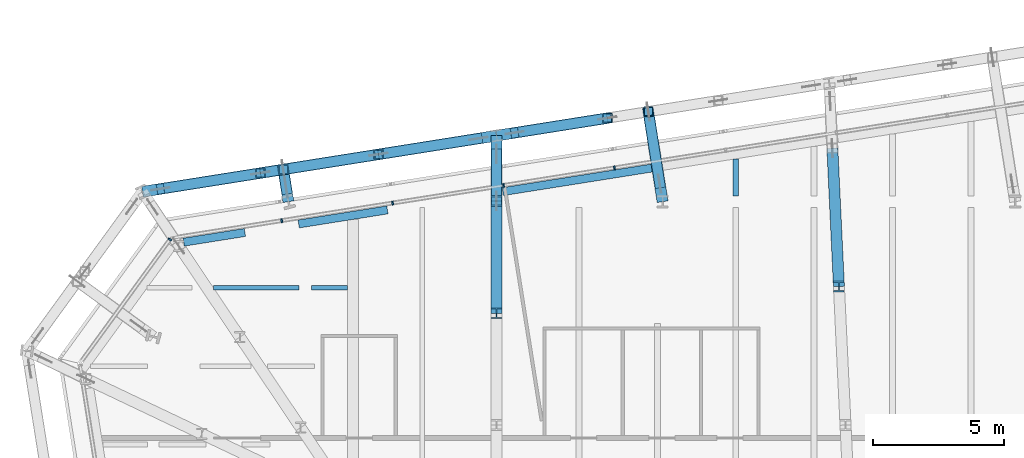
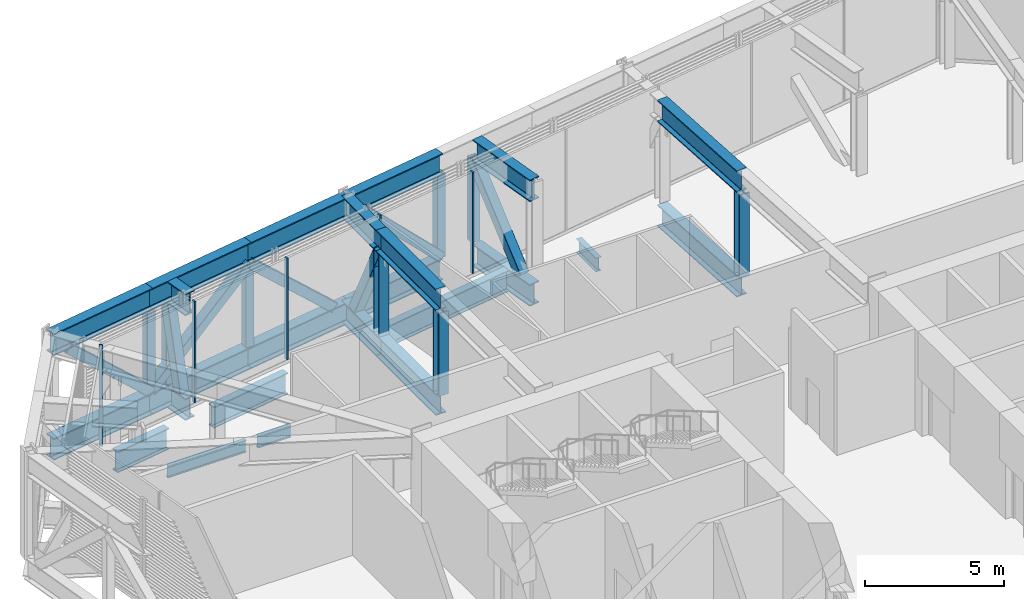
# One storey, part 12 of 32: 24 beams, 20 members, 2 elements without a shape of their own.
"""IFC4 building model written with IfcOpenShell, lengths in metres."""

import ifcopenshell
import ifcopenshell.guid

model = None  # the IFC model being written
_history = None  # IfcOwnerHistory: only IFC2X3 demands one
_inside = {}  # id of a spatial element -> (the spatial element, [elements in it])
_under = {}  # id of a project, library or spatial element -> (it, [spatial elements below it])
_declared = {}  # id of a project -> (the project, [libraries it declares])
_typed = {}  # id of a type object -> (the type object, [elements of that type])
_made_of = {}  # id of a material, layer set ... -> (it, [elements and type objects made of it])


def new_model(schema):
    """Start an empty IFC model of exactly this schema.

    Asked for "IFC4X3", IfcOpenShell would pick the latest addendum, in which some entities
    have other attributes; the version numbers below select the first issue.
    IFC2X3 requires an IfcOwnerHistory on every rooted entity: one is made here for all.
    """
    global model, _history
    if schema == "IFC4X3":
        model = ifcopenshell.file(schema_version=(4, 3, 0, 0))
    else:
        model = ifcopenshell.file(schema=schema)
    _inside.clear()
    _under.clear()
    _declared.clear()
    _typed.clear()
    _made_of.clear()
    _history = None
    if model.schema == "IFC2X3":
        org = make("IfcOrganization", Name="unknown")
        user = make(
            "IfcPersonAndOrganization",
            ThePerson=make("IfcPerson", FamilyName="unknown"),
            TheOrganization=org,
        )
        app = make(
            "IfcApplication",
            ApplicationDeveloper=org,
            Version="unknown",
            ApplicationFullName="unknown",
            ApplicationIdentifier="unknown",
        )
        _history = make(
            "IfcOwnerHistory",
            OwningUser=user,
            OwningApplication=app,
            ChangeAction="ADDED",
            CreationDate=0,
        )
    return model


def make(cls, **values):
    """One entity of the class cls with the attributes given. An attribute that is None is left unset."""
    return model.create_entity(
        cls, **{name: value for name, value in values.items() if value is not None}
    )


def rooted(cls, **values):
    """An entity with a GlobalId (a new one), such as an element, a storey or a relation."""
    return make(cls, GlobalId=ifcopenshell.guid.new(), OwnerHistory=_history, **values)


def si_unit(unit_type, name, prefix=None):
    """IfcSIUnit, for example si_unit("LENGTHUNIT", "METRE", prefix="MILLI")."""
    return make("IfcSIUnit", UnitType=unit_type, Prefix=prefix, Name=name)


def assignment(units):
    """IfcUnitAssignment: the units of a project."""
    return None if units is None else make("IfcUnitAssignment", Units=units)


def point(xyz):
    """IfcCartesianPoint."""
    return None if xyz is None else make("IfcCartesianPoint", Coordinates=xyz)


def direction(xyz):
    """IfcDirection."""
    return None if xyz is None else make("IfcDirection", DirectionRatios=xyz)


def frame(location, z_axis=None, x_axis=None):
    """IfcAxis2Placement3D, a coordinate frame: its origin and axes. An axis left out is left unset."""
    return make(
        "IfcAxis2Placement3D",
        Location=point(location),
        Axis=direction(z_axis),
        RefDirection=direction(x_axis),
    )


def frame_2d(location, x_axis=None):
    """IfcAxis2Placement2D, a coordinate frame in the plane: its origin and x axis."""
    return make(
        "IfcAxis2Placement2D", Location=point(location), RefDirection=direction(x_axis)
    )


def origin():
    """The frame at (0, 0, 0) with its axes left unset."""
    return frame((0.0, 0.0, 0.0))


def origin_2d():
    """The frame at (0, 0) in the plane with its x axis left unset."""
    return frame_2d((0.0, 0.0))


def place(relative_to, where):
    """IfcLocalPlacement: puts the frame where relative to a parent placement (None: the world)."""
    return make(
        "IfcLocalPlacement", PlacementRelTo=relative_to, RelativePlacement=where
    )


def context(
    kind, dimensions, precision=None, world=None, true_north=None, identifier=None
):
    """IfcGeometricRepresentationContext, for example the 3D "Model" context."""
    return make(
        "IfcGeometricRepresentationContext",
        ContextIdentifier=identifier,
        ContextType=kind,
        CoordinateSpaceDimension=dimensions,
        Precision=precision,
        WorldCoordinateSystem=world,
        TrueNorth=true_north,
    )


def subcontext(parent, identifier, kind, view, scale=None):
    """IfcGeometricRepresentationSubContext, for example "Body" below "Model"."""
    return make(
        "IfcGeometricRepresentationSubContext",
        ContextIdentifier=identifier,
        ContextType=kind,
        ParentContext=parent,
        TargetScale=scale,
        TargetView=view,
    )


def project(units=None, contexts=None):
    """IfcProject with its units and contexts."""
    return rooted(
        "IfcProject",
        Name="project",
        RepresentationContexts=contexts,
        UnitsInContext=assignment(units),
    )


def spatial(cls, under=None, at=None, **own):
    """A site, building, storey or space (cls), placed at a placement, below another one or the project."""
    s = rooted(cls, ObjectPlacement=at, **own)
    if under is not None:
        _under.setdefault(under.id(), (under, []))[1].append(s)
    return s


def profile(cls, at=None, kind="AREA", **sizes):
    """A parametric profile (cls). Its sizes go by their IFC names, for example OverallWidth=200.0."""
    return make(cls, ProfileType=kind, Position=at, **sizes)


def rectangle(**sizes):
    """IfcRectangleProfileDef."""
    return profile("IfcRectangleProfileDef", **sizes)


def hollow_rectangle(**sizes):
    """IfcRectangleHollowProfileDef."""
    return profile("IfcRectangleHollowProfileDef", **sizes)


def i_section(**sizes):
    """IfcIShapeProfileDef."""
    return profile("IfcIShapeProfileDef", **sizes)


def extrude(swept, where, along, depth):
    """IfcExtrudedAreaSolid: the profile swept, set in the frame where, extruded along a direction by depth."""
    return make(
        "IfcExtrudedAreaSolid",
        SweptArea=swept,
        Position=where,
        ExtrudedDirection=direction(along),
        Depth=depth,
    )


def shape(context_of_items, identifier, shape_type, items):
    """IfcShapeRepresentation: the items that make up one representation, for example the "Body"."""
    return make(
        "IfcShapeRepresentation",
        ContextOfItems=context_of_items,
        RepresentationIdentifier=identifier,
        RepresentationType=shape_type,
        Items=items,
    )


def material(Name=None, Category=None):
    """IfcMaterial."""
    return make("IfcMaterial", Name=Name, Category=Category)


def layer(
    of_material, thickness, ventilated=None, Name=None, Category=None, Priority=None
):
    """IfcMaterialLayer: one layer of a wall or slab, of a material (None: an air gap)."""
    return make(
        "IfcMaterialLayer",
        Material=of_material,
        LayerThickness=thickness,
        IsVentilated=ventilated,
        Name=Name,
        Category=Category,
        Priority=Priority,
    )


def layer_set(layers, Name=None):
    """IfcMaterialLayerSet."""
    return make("IfcMaterialLayerSet", MaterialLayers=layers, LayerSetName=Name)


def material_profile(
    of_material, cross_section, Name=None, Category=None, Priority=None
):
    """IfcMaterialProfile: a cross section and its material."""
    return make(
        "IfcMaterialProfile",
        Name=Name,
        Material=of_material,
        Profile=cross_section,
        Priority=Priority,
        Category=Category,
    )


def profile_set(profiles, Name=None, composite=None):
    """IfcMaterialProfileSet."""
    return make(
        "IfcMaterialProfileSet",
        Name=Name,
        MaterialProfiles=profiles,
        CompositeProfile=composite,
    )


def made_of(thing, what):
    """Note that an element or type object is made of a material, layer set ...; save() writes the relation."""
    if what is not None:
        _made_of.setdefault(what.id(), (what, []))[1].append(thing)
    return thing


def type_object(cls, material=None, **own):
    """A type object (cls), such as IfcWallType, which elements share."""
    return made_of(rooted(cls, **own), material)


def element(
    cls,
    number,
    at=None,
    inside=None,
    cuts=None,
    type_object=None,
    material=None,
    context=None,
    identifier="Body",
    shape_type=None,
    held_by="IfcProductDefinitionShape",
    body=None,
    shapes=None,
    **own,
):
    """One element of the class cls, such as IfcWall. Its Tag is "e" and its number.

    at: its placement. inside: the storey or other place that contains it. cuts: it is an
    opening in that element (IfcRelVoidsElement). A single representation is given by context,
    identifier, shape_type and body (its items); several are given by shapes. held_by: the class
    of the entity that holds the representations. save() writes the other relations.
    """
    e = rooted(cls, Tag="e%d" % number, ObjectPlacement=at, **own)
    if body is not None:
        shapes = [shape(context, identifier, shape_type, body)]
    if shapes is not None:
        e.Representation = make(held_by, Representations=shapes)
    if inside is not None:
        _inside.setdefault(inside.id(), (inside, []))[1].append(e)
    if cuts is not None:
        rooted(
            "IfcRelVoidsElement", RelatingBuildingElement=cuts, RelatedOpeningElement=e
        )
    if type_object is not None:
        _typed.setdefault(type_object.id(), (type_object, []))[1].append(e)
    return made_of(e, material)


def aggregate(whole, parts):
    """IfcRelAggregates: a whole, such as a stair, and the parts it consists of."""
    return rooted("IfcRelAggregates", RelatingObject=whole, RelatedObjects=parts)


def save(model, path):
    """Write the relations noted so far, then the file.

    IfcRelAggregates (storeys below a building ...), IfcRelContainedInSpatialStructure (elements
    in a storey), IfcRelDefinesByType, IfcRelAssociatesMaterial and IfcRelDeclares: one each for
    every whole, place, type object, material and project.
    """
    for whole, parts in _under.values():
        aggregate(whole, parts)
    for where, things in _inside.values():
        rooted(
            "IfcRelContainedInSpatialStructure",
            RelatedElements=things,
            RelatingStructure=where,
        )
    for kind, things in _typed.values():
        rooted("IfcRelDefinesByType", RelatedObjects=things, RelatingType=kind)
    for what, things in _made_of.values():
        rooted("IfcRelAssociatesMaterial", RelatedObjects=things, RelatingMaterial=what)
    for by, libraries in _declared.values():
        rooted("IfcRelDeclares", RelatingContext=by, RelatedDefinitions=libraries)
    model.write(path)


model = new_model("IFC4")

# Units and contexts
model_context = context("Model", 3, precision=1e-05, world=origin(), true_north=direction((0.0, 1.0)))
body_context = subcontext(model_context, "Body", "Model", "MODEL_VIEW")
ifc_project = project(units=[si_unit("LENGTHUNIT", "METRE"), si_unit("AREAUNIT", "SQUARE_METRE"), si_unit("VOLUMEUNIT", "CUBIC_METRE"), si_unit("PLANEANGLEUNIT", "RADIAN"), si_unit("MASSUNIT", "GRAM", prefix="KILO")], contexts=[model_context])

# Site, building, storey
site_placement = place(None, origin())
site = spatial("IfcSite", under=ifc_project, at=site_placement, CompositionType="ELEMENT")
building_placement = place(site_placement, origin())
building = spatial("IfcBuilding", under=site, at=building_placement, Name="Millrace Tower", CompositionType="ELEMENT")
storey_placement = place(building_placement, frame((0.0, 0.0, 124.89990234375)))
storey = spatial("IfcBuildingStorey", under=building, at=storey_placement, Name="L27", CompositionType="ELEMENT", Elevation=124.89990234375)

# Curtain wall, members
ifc_material_1 = material(Name="Aluminium and glass", Category="aluminium")
ifc_layer = layer(ifc_material_1, 0.14990234375)
ifc_layer_set = layer_set([ifc_layer], Name="Aluminium and glass")
curtain_wall_type = type_object("IfcCurtainWallType", Name="CW-5 truss and plant storey louvred infill", PredefinedType="NOTDEFINED", material=ifc_layer_set)
placement = place(storey_placement, origin())
curtain_wall_1 = element("IfcCurtainWall", 1, at=placement, inside=storey, type_object=curtain_wall_type, Name="Curtain wall C-F06 L27", PredefinedType="NOTDEFINED")
ifc_material_2 = material(Name="Aluminium", Category="aluminium")
ifc_material_profile_1 = material_profile(ifc_material_2, rectangle(XDim=0.06494140625, YDim=0.14990234375, at=origin_2d()))
ifc_profile_set_1 = profile_set([ifc_material_profile_1], Name="Aluminium")
member_type_1 = type_object("IfcMemberType", Name="CW-5 truss and plant storey louvred infill mullion", PredefinedType="MULLION", material=ifc_profile_set_1)
member_1_placement = place(storey_placement, frame((-4.6435546875, 22.59326171875, 0.14013671875), z_axis=(0.0, 0.0, 1.0), x_axis=(-0.98768833929, -0.15643447328, 0.0)))
member_1 = element("IfcMember", 2, at=member_1_placement, type_object=member_type_1, Name="CW5 mullion C-F06.6", PredefinedType="MULLION", context=body_context, shape_type="SweptSolid", body=[
    extrude(rectangle(XDim=0.06494140625, YDim=0.14990234375, at=origin_2d()), origin(), (0.0, 0.0, 1.0), 4.4599609375),
])
member_2_placement = place(storey_placement, frame((-8.890625, 21.920654296875, 0.14013671875), z_axis=(0.0, 0.0, 1.0), x_axis=(-0.98768833929, -0.15643447328, 0.0)))
member_2 = element("IfcMember", 3, at=member_2_placement, type_object=member_type_1, Name="CW5 mullion C-F06.7", PredefinedType="MULLION", context=body_context, shape_type="SweptSolid", body=[
    extrude(rectangle(XDim=0.06494140625, YDim=0.14990234375, at=origin_2d()), origin(), (0.0, 0.0, 1.0), 4.4599609375),
])
member_3_placement = place(storey_placement, frame((-13.1376953125, 21.248046875, 0.14013671875), z_axis=(0.0, 0.0, 1.0), x_axis=(-0.98768833929, -0.15643447328, 0.0)))
member_3 = element("IfcMember", 4, at=member_3_placement, type_object=member_type_1, Name="CW5 mullion C-F06.8", PredefinedType="MULLION", context=body_context, shape_type="SweptSolid", body=[
    extrude(rectangle(XDim=0.06494140625, YDim=0.14990234375, at=origin_2d()), origin(), (0.0, 0.0, 1.0), 4.4599609375),
])
member_4_placement = place(storey_placement, frame((-17.384765625, 20.575439453125, 0.14013671875), z_axis=(0.0, 0.0, 1.0), x_axis=(-0.98768833929, -0.15643447328, 0.0)))
member_4 = element("IfcMember", 5, at=member_4_placement, type_object=member_type_1, Name="CW5 mullion C-F06.9", PredefinedType="MULLION", context=body_context, shape_type="SweptSolid", body=[
    extrude(rectangle(XDim=0.06494140625, YDim=0.14990234375, at=origin_2d()), origin(), (0.0, 0.0, 1.0), 4.4599609375),
])
aggregate(curtain_wall_1, [member_1, member_2, member_3, member_4])

# Curtain wall, member
curtain_wall_2 = element("IfcCurtainWall", 6, at=placement, inside=storey, type_object=curtain_wall_type, Name="Curtain wall C-F07 L27", PredefinedType="NOTDEFINED")
member_5_placement = place(storey_placement, frame((-21.667724609375, 19.8515625, 0.14013671875), z_axis=(0.0, 0.0, 1.0), x_axis=(-0.587785269844, -0.809016981623, 0.0)))
member_5 = element("IfcMember", 7, at=member_5_placement, type_object=member_type_1, Name="CW5 mullion C-F07.1", PredefinedType="MULLION", context=body_context, shape_type="SweptSolid", body=[
    extrude(rectangle(XDim=0.06494140625, YDim=0.14990234375, at=origin_2d()), origin(), (0.0, 0.0, 1.0), 4.4599609375),
])
aggregate(curtain_wall_2, [member_5])

# Beams
ifc_material_3 = material(Name="Steel ASTM A992 Grade 50", Category="steel")
ifc_material_profile_2 = material_profile(ifc_material_3, i_section(OverallWidth=0.1650390625, OverallDepth=0.52587890625, WebThickness=0.0087890625, FlangeThickness=0.011474609375, FilletRadius=0.0126953125, at=origin_2d()))
ifc_profile_set_2 = profile_set([ifc_material_profile_2], Name="Steel ASTM A992 Grade 50")
beam_type_1 = type_object("IfcBeamType", Name="Floor beam W21x44", PredefinedType="JOIST", material=ifc_profile_set_2)
beam_1_placement = place(storey_placement, frame((-16.2431640625, 18.0, -0.4228515625), z_axis=(1.0, 0.0, 0.0), x_axis=(0.0, 1.0, 0.0)))
element("IfcBeam", 8, at=beam_1_placement, inside=storey, type_object=beam_type_1, Name="BM-C-L27-S1-S035-b", PredefinedType="JOIST", context=body_context, shape_type="SweptSolid", body=[
    extrude(i_section(OverallWidth=0.1650390625, OverallDepth=0.52587890625, WebThickness=0.0087890625, FlangeThickness=0.011474609375, FilletRadius=0.0126953125, at=origin_2d()), origin(), (0.0, 0.0, 1.0), 1.383544921875),
])
beam_2_placement = place(storey_placement, frame((-19.9931640625, 18.0, -0.4228515625), z_axis=(1.0, 0.0, 0.0), x_axis=(0.0, 1.0, 0.0)))
element("IfcBeam", 9, at=beam_2_placement, inside=storey, type_object=beam_type_1, Name="BM-C-L27-S1-S035-a-b", PredefinedType="JOIST", context=body_context, shape_type="SweptSolid", body=[
    extrude(i_section(OverallWidth=0.1650390625, OverallDepth=0.52587890625, WebThickness=0.0087890625, FlangeThickness=0.011474609375, FilletRadius=0.0126953125, at=origin_2d()), origin(), (0.0, 0.0, 1.0), 3.269775390625),
])
ifc_material_4 = material(Name="Steel ASTM A992 Grade 50", Category="steel")
ifc_material_profile_3 = material_profile(ifc_material_4, i_section(OverallWidth=0.228271484375, OverallDepth=0.607177734375, WebThickness=0.01123046875, FlangeThickness=0.017333984375, FilletRadius=0.0126953125, at=origin_2d()))
ifc_profile_set_3 = profile_set([ifc_material_profile_3], Name="Steel ASTM A992 Grade 50")
beam_type_2 = type_object("IfcBeamType", Name="Floor beam W24x76", PredefinedType="JOIST", material=ifc_profile_set_3)
beam_3_placement = place(storey_placement, frame((0.0, 21.51806640625, -0.46337890625), z_axis=(0.0, 1.0, 0.0), x_axis=(-1.0, 0.0, 0.0)))
element("IfcBeam", 10, at=beam_3_placement, inside=storey, type_object=beam_type_2, Name="BM-C-L27-S1-S047-b", PredefinedType="JOIST", context=body_context, shape_type="SweptSolid", body=[
    extrude(i_section(OverallWidth=0.228271484375, OverallDepth=0.607177734375, WebThickness=0.01123046875, FlangeThickness=0.017333984375, FilletRadius=0.0126953125, at=origin_2d()), origin(), (0.0, 0.0, 1.0), 1.423583984375),
])
ifc_material_5 = material(Name="Steel ASTM A992 Grade 50", Category="steel")
ifc_material_profile_4 = material_profile(ifc_material_5, i_section(OverallWidth=0.307373046875, OverallDepth=0.927001953125, WebThickness=0.01953125, FlangeThickness=0.031982421875, FilletRadius=0.01904296875, at=origin_2d()))
ifc_profile_set_4 = profile_set([ifc_material_profile_4], Name="Steel ASTM A992 Grade 50")
beam_type_3 = type_object("IfcBeamType", Name="Ring beam short span W36x194", PredefinedType="SPANDREL", material=ifc_profile_set_4)
beam_4_placement = place(storey_placement, frame((-8.921630859375, 21.684326171875, -0.62353515625), z_axis=(0.987691892915, 0.15641203493, 0.0), x_axis=(-0.15641203493, 0.987691892915, 0.0)))
element("IfcBeam", 11, at=beam_4_placement, inside=storey, type_object=beam_type_3, Name="RNG-C-L27-S1-06-a", PredefinedType="SPANDREL", context=body_context, shape_type="SweptSolid", body=[
    extrude(i_section(OverallWidth=0.307373046875, OverallDepth=0.927001953125, WebThickness=0.01953125, FlangeThickness=0.031982421875, FilletRadius=0.01904296875, at=origin_2d()), origin(), (0.0, 0.0, 1.0), 5.773681640625),
])
beam_5_placement = place(storey_placement, frame((-16.73583984375, 20.446533203125, -0.62353515625), z_axis=(0.987685720281, 0.156451008157, 0.0), x_axis=(-0.156451008157, 0.987685720281, 0.0)))
element("IfcBeam", 12, at=beam_5_placement, inside=storey, type_object=beam_type_3, Name="RNG-C-L27-S1-05-b", PredefinedType="SPANDREL", context=body_context, shape_type="SweptSolid", body=[
    extrude(i_section(OverallWidth=0.307373046875, OverallDepth=0.927001953125, WebThickness=0.01953125, FlangeThickness=0.031982421875, FilletRadius=0.01904296875, at=origin_2d()), origin(), (0.0, 0.0, 1.0), 3.439208984375),
])
beam_6_placement = place(storey_placement, frame((-21.139892578125, 19.7490234375, -0.62353515625), z_axis=(0.98768700789, 0.156442879177, 0.0), x_axis=(-0.156442879177, 0.98768700789, 0.0)))
element("IfcBeam", 13, at=beam_6_placement, inside=storey, type_object=beam_type_3, Name="RNG-C-L27-S1-05-a", PredefinedType="SPANDREL", context=body_context, shape_type="SweptSolid", body=[
    extrude(i_section(OverallWidth=0.307373046875, OverallDepth=0.927001953125, WebThickness=0.01953125, FlangeThickness=0.031982421875, FilletRadius=0.01904296875, at=origin_2d()), origin(), (0.0, 0.0, 1.0), 2.375244140625),
])

# Members
ifc_material_6 = material(Name="Steel ASTM A992 Grade 50", Category="steel")
ifc_material_profile_5 = material_profile(ifc_material_6, i_section(OverallWidth=0.406494140625, OverallDepth=0.41650390625, WebThickness=0.030029296875, FlangeThickness=0.048095703125, FilletRadius=0.01513671875, at=origin_2d()))
ifc_profile_set_5 = profile_set([ifc_material_profile_5], Name="Steel ASTM A992 Grade 50")
member_type_2 = type_object("IfcMemberType", Name="Transfer truss Vierendeel moment post W14x257", PredefinedType="POST", material=ifc_profile_set_5)
for number, where, z_axis, x_axis, name in (
    (14, (3.951171875, 18.0537109375, -0.159912109375), (0.0, 0.0, 1.0), (1.0, 0.0, 0.0), "TRS-L27-C11-V02"),
    (15, (-9.15966796875, 21.3271484375, -0.159912109375), (0.0, 0.0, 1.0), (1.0, 0.0, 0.0), "TRS-L27-C12-V01"),
    (16, (-9.15966796875, 17.027099609375, -0.159912109375), (0.0, 0.0, 1.0), (1.0, 0.0, 0.0), "TRS-L27-C12-V02"),
):
    element("IfcMember", number, at=place(storey_placement, frame(where, z_axis=z_axis, x_axis=x_axis)), inside=storey, type_object=member_type_2, Name=name, PredefinedType="POST", context=body_context, shape_type="SweptSolid", body=[
        extrude(i_section(OverallWidth=0.406494140625, OverallDepth=0.41650390625, WebThickness=0.030029296875, FlangeThickness=0.048095703125, FilletRadius=0.01513671875, at=origin_2d()), origin(), (0.0, 0.0, 1.0), 3.642333984375),
    ])

# Beams
ifc_material_7 = material(Name="Steel ASTM A992 Grade 50", Category="steel")
ifc_material_profile_6 = material_profile(ifc_material_7, i_section(OverallWidth=0.421630859375, OverallDepth=0.95751953125, WebThickness=0.02587890625, FlangeThickness=0.046875, FilletRadius=0.024169921875, at=origin_2d()))
ifc_profile_set_6 = profile_set([ifc_material_profile_6], Name="Steel ASTM A992 Grade 50")
beam_type_4 = type_object("IfcBeamType", Name="Transfer truss chord W36x330", PredefinedType="BEAM", material=ifc_profile_set_6)
for number, where, z_axis, x_axis, name in (
    (17, (-4.91259765625, 24.499755859375, -0.638671875), (-0.987690583834, -0.15642030113, 0.0), (0.15642030113, -0.987690583834, 0.0), "TRS-L27-R11-B03"),
    (18, (-4.91259765625, 24.499755859375, 3.96142578125), (-0.987690583834, -0.15642030113, 0.0), (0.15642030113, -0.987690583834, 0.0), "TRS-L27-R11-T03"),
):
    element("IfcBeam", number, at=place(storey_placement, frame(where, z_axis=z_axis, x_axis=x_axis)), inside=storey, type_object=beam_type_4, Name=name, PredefinedType="BEAM", context=body_context, shape_type="SweptSolid", body=[
        extrude(i_section(OverallWidth=0.421630859375, OverallDepth=0.95751953125, WebThickness=0.02587890625, FlangeThickness=0.046875, FilletRadius=0.024169921875, at=origin_2d()), origin(), (0.0, 0.0, 1.0), 4.300048828125),
    ])
for number, where, z_axis, x_axis, name in (
    (19, (-9.15966796875, 23.8271484375, -0.638671875), (-0.987681507278, -0.156477602811, 0.0), (0.156477602811, -0.987681507278, 0.0), "TRS-L27-R12-B01"),
    (20, (-9.15966796875, 23.8271484375, 3.96142578125), (-0.987681507278, -0.156477602811, 0.0), (0.156477602811, -0.987681507278, 0.0), "TRS-L27-R12-T01"),
    (21, (-13.679443359375, 23.111083984375, -0.638671875), (-0.987689751328, -0.156425557764, 0.0), (0.156425557764, -0.987689751328, 0.0), "TRS-L27-R12-B02"),
    (22, (-13.679443359375, 23.111083984375, 3.96142578125), (-0.987689751328, -0.156425557764, 0.0), (0.156425557764, -0.987689751328, 0.0), "TRS-L27-R12-T02"),
    (23, (-18.19921875, 22.395263671875, -0.638671875), (-0.987689751328, -0.156425557764, 0.0), (0.156425557764, -0.987689751328, 0.0), "TRS-L27-R12-B03"),
    (24, (-18.19921875, 22.395263671875, 3.96142578125), (-0.987689751328, -0.156425557764, 0.0), (0.156425557764, -0.987689751328, 0.0), "TRS-L27-R12-T03"),
):
    element("IfcBeam", number, at=place(storey_placement, frame(where, z_axis=z_axis, x_axis=x_axis)), inside=storey, type_object=beam_type_4, Name=name, PredefinedType="BEAM", context=body_context, shape_type="SweptSolid", body=[
        extrude(i_section(OverallWidth=0.421630859375, OverallDepth=0.95751953125, WebThickness=0.02587890625, FlangeThickness=0.046875, FilletRadius=0.024169921875, at=origin_2d()), origin(), (0.0, 0.0, 1.0), 4.576171875),
    ])
for number, where, z_axis, x_axis, name in (
    (25, (3.699951171875, 23.347900390625, -0.638671875), (0.047398821743, -0.99887604421, 0.0), (0.99887604421, 0.047398821743, 0.0), "TRS-L27-C11-B02"),
    (26, (3.699951171875, 23.347900390625, 3.96142578125), (0.047398821743, -0.99887604421, 0.0), (0.99887604421, 0.047398821743, 0.0), "TRS-L27-C11-T02"),
):
    element("IfcBeam", number, at=place(storey_placement, frame(where, z_axis=z_axis, x_axis=x_axis)), inside=storey, type_object=beam_type_4, Name=name, PredefinedType="BEAM", context=body_context, shape_type="SweptSolid", body=[
        extrude(i_section(OverallWidth=0.421630859375, OverallDepth=0.95751953125, WebThickness=0.02587890625, FlangeThickness=0.046875, FilletRadius=0.024169921875, at=origin_2d()), origin(), (0.0, 0.0, 1.0), 5.300048828125),
    ])
for number, where, z_axis, x_axis, name in (
    (27, (-9.15966796875, 23.8271484375, -0.638671875), (0.0, -1.0, 0.0), (1.0, 0.0, 0.0), "TRS-L27-C12-B01"),
    (28, (-9.15966796875, 23.8271484375, 3.96142578125), (0.0, -1.0, 0.0), (1.0, 0.0, 0.0), "TRS-L27-C12-T01"),
):
    element("IfcBeam", number, at=place(storey_placement, frame(where, z_axis=z_axis, x_axis=x_axis)), inside=storey, type_object=beam_type_4, Name=name, PredefinedType="BEAM", context=body_context, shape_type="SweptSolid", body=[
        extrude(i_section(OverallWidth=0.421630859375, OverallDepth=0.95751953125, WebThickness=0.02587890625, FlangeThickness=0.046875, FilletRadius=0.024169921875, at=origin_2d()), origin(), (0.0, 0.0, 1.0), 2.5),
    ])
for number, where, z_axis, x_axis, name in (
    (29, (-9.15966796875, 21.3271484375, -0.638671875), (0.0, -1.0, 0.0), (1.0, 0.0, 0.0), "TRS-L27-C12-B02"),
    (30, (-9.15966796875, 21.3271484375, 3.96142578125), (0.0, -1.0, 0.0), (1.0, 0.0, 0.0), "TRS-L27-C12-T02"),
):
    element("IfcBeam", number, at=place(storey_placement, frame(where, z_axis=z_axis, x_axis=x_axis)), inside=storey, type_object=beam_type_4, Name=name, PredefinedType="BEAM", context=body_context, shape_type="SweptSolid", body=[
        extrude(i_section(OverallWidth=0.421630859375, OverallDepth=0.95751953125, WebThickness=0.02587890625, FlangeThickness=0.046875, FilletRadius=0.024169921875, at=origin_2d()), origin(), (0.0, 0.0, 1.0), 4.300048828125),
    ])
for number, where, z_axis, x_axis, name in (
    (31, (-2.800048828125, 21.300048828125, -0.638671875), (-0.156390668144, 0.987695276347, 0.0), (-0.987695276347, -0.156390668144, 0.0), "TRS-L27-B-B-X12-B01"),
    (32, (-2.800048828125, 21.300048828125, 3.96142578125), (-0.156390668144, 0.987695276347, 0.0), (-0.987695276347, -0.156390668144, 0.0), "TRS-L27-B-B-X12-T01"),
):
    element("IfcBeam", number, at=place(storey_placement, frame(where, z_axis=z_axis, x_axis=x_axis)), inside=storey, type_object=beam_type_4, Name=name, PredefinedType="BEAM", context=body_context, shape_type="SweptSolid", body=[
        extrude(i_section(OverallWidth=0.421630859375, OverallDepth=0.95751953125, WebThickness=0.02587890625, FlangeThickness=0.046875, FilletRadius=0.024169921875, at=origin_2d()), origin(), (0.0, 0.0, 1.0), 3.27978515625),
    ])
for number, where, z_axis, x_axis, name in (
    (33, (-17.12841796875, 21.300048828125, -0.638671875), (-0.156348906331, 0.987701887965, 0.0), (-0.987701887965, -0.156348906331, 0.0), "TRS-L27-B-B-X13-B01"),
    (34, (-17.12841796875, 21.300048828125, 3.96142578125), (-0.156348906331, 0.987701887965, 0.0), (-0.987701887965, -0.156348906331, 0.0), "TRS-L27-B-B-X13-T01"),
):
    element("IfcBeam", number, at=place(storey_placement, frame(where, z_axis=z_axis, x_axis=x_axis)), inside=storey, type_object=beam_type_4, Name=name, PredefinedType="BEAM", context=body_context, shape_type="SweptSolid", body=[
        extrude(i_section(OverallWidth=0.421630859375, OverallDepth=0.95751953125, WebThickness=0.02587890625, FlangeThickness=0.046875, FilletRadius=0.024169921875, at=origin_2d()), origin(), (0.0, 0.0, 1.0), 1.038330078125),
    ])

# Members
ifc_material_8 = material(Name="Steel ASTM A500 Grade C", Category="steel")
ifc_material_profile_7 = material_profile(ifc_material_8, hollow_rectangle(XDim=0.406494140625, YDim=0.406494140625, WallThickness=0.0126953125, InnerFilletRadius=0.00634765625, OuterFilletRadius=0.01904296875, at=origin_2d()))
ifc_profile_set_7 = profile_set([ifc_material_profile_7], Name="Steel ASTM A500 Grade C")
member_type_3 = type_object("IfcMemberType", Name="Transfer truss diagonal HSS16x16x1/2", PredefinedType="BRACE", material=ifc_profile_set_7)
member_6_placement = place(storey_placement, frame((-4.91259765625, 24.499755859375, -0.159912109375), z_axis=(-0.694304430848, -0.109980796619, 0.711228220531), x_axis=(0.156453585206, -0.987685312069, 0.0)))
element("IfcMember", 35, at=member_6_placement, inside=storey, type_object=member_type_3, Name="TRS-L27-R11-D03", PredefinedType="BRACE", context=body_context, shape_type="SweptSolid", body=[
    extrude(hollow_rectangle(XDim=0.406494140625, YDim=0.406494140625, WallThickness=0.0126953125, InnerFilletRadius=0.00634765625, OuterFilletRadius=0.01904296875, at=origin_2d()), origin(), (0.0, 0.0, 1.0), 5.12109375),
])
member_7_placement = place(storey_placement, frame((-9.85107421875, 23.717529296875, -0.159912109375), z_axis=(-0.719765991606, -0.114016881777, 0.684789798404), x_axis=(0.156457420202, -0.987684704581, 0.0)))
element("IfcMember", 36, at=member_7_placement, inside=storey, type_object=member_type_3, Name="TRS-L27-R12-D01", PredefinedType="BRACE", context=body_context, shape_type="SweptSolid", body=[
    extrude(hollow_rectangle(XDim=0.406494140625, YDim=0.406494140625, WallThickness=0.0126953125, InnerFilletRadius=0.00634765625, OuterFilletRadius=0.01904296875, at=origin_2d()), origin(), (0.0, 0.0, 1.0), 5.31884765625),
])
member_8_placement = place(storey_placement, frame((-18.19921875, 22.395263671875, -0.159912109375), z_axis=(0.772782077588, 0.122389512855, 0.622758916196), x_axis=(-0.156425557764, 0.987689751328, 0.0)))
element("IfcMember", 37, at=member_8_placement, inside=storey, type_object=member_type_3, Name="TRS-L27-R12-D02", PredefinedType="BRACE", context=body_context, shape_type="SweptSolid", body=[
    extrude(hollow_rectangle(XDim=0.406494140625, YDim=0.406494140625, WallThickness=0.0126953125, InnerFilletRadius=0.00634765625, OuterFilletRadius=0.01904296875, at=origin_2d()), origin(), (0.0, 0.0, 1.0), 5.8486328125),
])
member_9_placement = place(storey_placement, frame((-18.19921875, 22.395263671875, -0.159912109375), z_axis=(-0.719769757725, -0.113971577605, 0.684793381512), x_axis=(0.156395975046, -0.987694436043, 0.0)))
element("IfcMember", 38, at=member_9_placement, inside=storey, type_object=member_type_3, Name="TRS-L27-R12-D03", PredefinedType="BRACE", context=body_context, shape_type="SweptSolid", body=[
    extrude(hollow_rectangle(XDim=0.406494140625, YDim=0.406494140625, WallThickness=0.0126953125, InnerFilletRadius=0.00634765625, OuterFilletRadius=0.01904296875, at=origin_2d()), origin(), (0.0, 0.0, 1.0), 5.31884765625),
])
member_10_placement = place(storey_placement, frame((-9.15966796875, 23.126953125, -0.159912109375), z_axis=(0.0, -0.443002172233, 0.89652053819), x_axis=(1.0, 0.0, 0.0)))
element("IfcMember", 39, at=member_10_placement, inside=storey, type_object=member_type_3, Name="TRS-L27-C12-D01", PredefinedType="BRACE", context=body_context, shape_type="SweptSolid", body=[
    extrude(hollow_rectangle(XDim=0.406494140625, YDim=0.406494140625, WallThickness=0.0126953125, InnerFilletRadius=0.00634765625, OuterFilletRadius=0.01904296875, at=origin_2d()), origin(), (0.0, 0.0, 1.0), 4.062744140625),
])
member_11_placement = place(storey_placement, frame((-2.909423828125, 21.991455078125, -0.159912109375), z_axis=(-0.095186350472, 0.600700892585, 0.793787122805), x_axis=(-0.987676988375, -0.156506123313, 0.0)))
element("IfcMember", 40, at=member_11_placement, inside=storey, type_object=member_type_3, Name="TRS-L27-B-B-X12-D01", PredefinedType="BRACE", context=body_context, shape_type="SweptSolid", body=[
    extrude(hollow_rectangle(XDim=0.406494140625, YDim=0.406494140625, WallThickness=0.0126953125, InnerFilletRadius=0.00634765625, OuterFilletRadius=0.01904296875, at=origin_2d()), origin(), (0.0, 0.0, 1.0), 4.588623046875),
])
member_12_placement = place(storey_placement, frame((-17.20654296875, 21.793701171875, -0.159912109375), z_axis=(-0.03157913272, 0.199060146373, 0.979478338965), x_axis=(-0.98764913401, -0.15668180523, 0.0)))
element("IfcMember", 41, at=member_12_placement, inside=storey, type_object=member_type_3, Name="TRS-L27-B-B-X13-D01", PredefinedType="BRACE", context=body_context, shape_type="SweptSolid", body=[
    extrude(hollow_rectangle(XDim=0.406494140625, YDim=0.406494140625, WallThickness=0.0126953125, InnerFilletRadius=0.00634765625, OuterFilletRadius=0.01904296875, at=origin_2d()), origin(), (0.0, 0.0, 1.0), 3.71875),
])
ifc_material_9 = material(Name="Steel ASTM A500 Grade C", Category="steel")
ifc_material_profile_8 = material_profile(ifc_material_9, hollow_rectangle(XDim=0.355712890625, YDim=0.355712890625, WallThickness=0.015869140625, InnerFilletRadius=0.008056640625, OuterFilletRadius=0.02392578125, at=origin_2d()))
ifc_profile_set_8 = profile_set([ifc_material_profile_8], Name="Steel ASTM A500 Grade C")
member_type_4 = type_object("IfcMemberType", Name="Transfer truss post HSS14x14x5/8", PredefinedType="POST", material=ifc_profile_set_8)
for number, where, z_axis, x_axis, name in (
    (42, (-4.91259765625, 24.499755859375, -0.159912109375), (0.0, 0.0, 1.0), (1.0, 0.0, 0.0), "TRS-L27-R11-V02"),
    (43, (-13.679443359375, 23.111083984375, -0.159912109375), (0.0, 0.0, 1.0), (1.0, 0.0, 0.0), "TRS-L27-R12-V01"),
    (44, (-18.19921875, 22.395263671875, -0.159912109375), (0.0, 0.0, 1.0), (1.0, 0.0, 0.0), "TRS-L27-R12-V02"),
    (45, (-3.34619140625, 24.747802734375, -0.159912109375), (0.0, 0.0, 1.0), (1.0, 0.0, 0.0), "TRS-L27-B-B-X12-V01"),
    (46, (-17.323974609375, 22.533935546875, -0.159912109375), (0.0, 0.0, 1.0), (1.0, 0.0, 0.0), "TRS-L27-B-B-X13-V01"),
):
    element("IfcMember", number, at=place(storey_placement, frame(where, z_axis=z_axis, x_axis=x_axis)), inside=storey, type_object=member_type_4, Name=name, PredefinedType="POST", context=body_context, shape_type="SweptSolid", body=[
        extrude(hollow_rectangle(XDim=0.355712890625, YDim=0.355712890625, WallThickness=0.015869140625, InnerFilletRadius=0.008056640625, OuterFilletRadius=0.02392578125, at=origin_2d()), origin(), (0.0, 0.0, 1.0), 3.642333984375),
    ])

save(model, "model.ifc")
